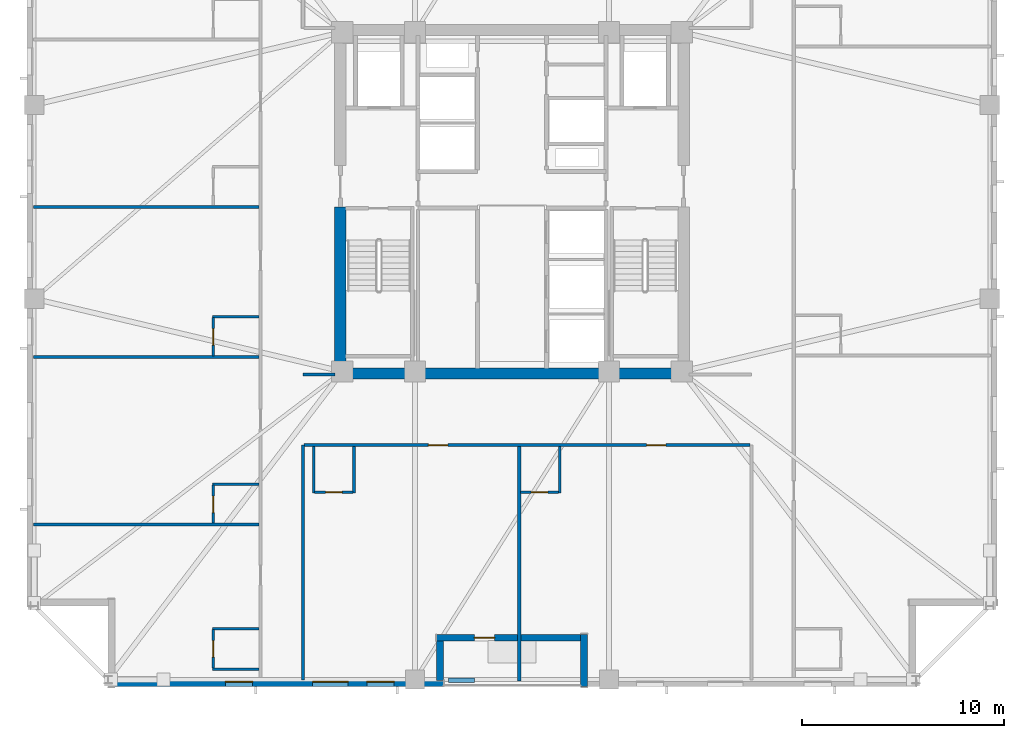
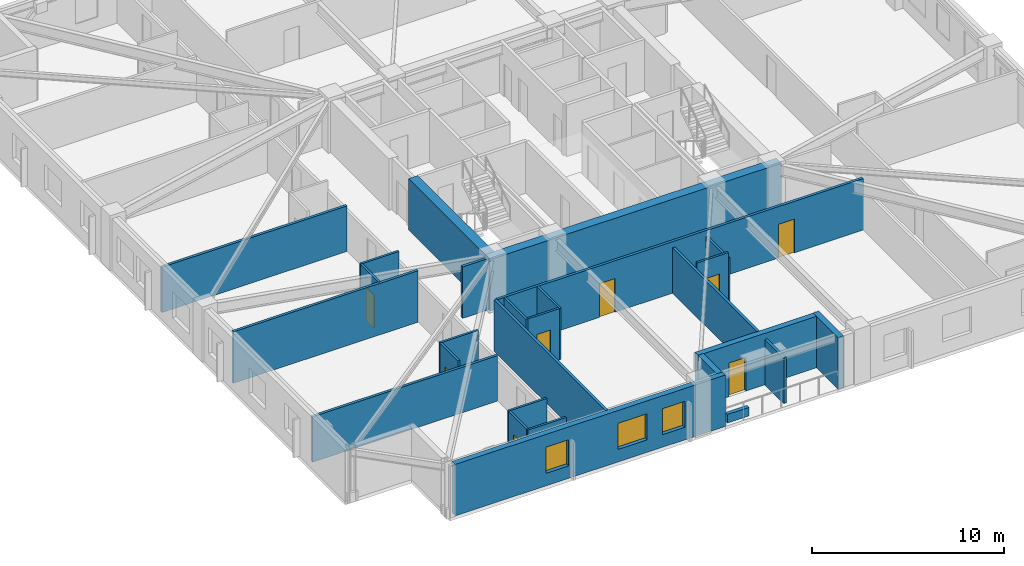
# One storey, part 2 of 11: 26 walls, 8 doors, 3 windows, 11 openings.
"""IFC4 building model written with IfcOpenShell, lengths in metres."""

from ifc_helpers import new_model, si_unit, direction, frame, frame_2d, origin, place, context, subcontext, project, spatial, rectangle, extrude, material, layer, layer_set, type_object, element, fill, save


model = new_model("IFC4")

# Units and contexts
model_context = context("Model", 3, precision=1e-05, world=origin(), true_north=direction((0.0, 1.0)))
body_context = subcontext(model_context, "Body", "Model", "MODEL_VIEW")
ifc_project = project(units=[si_unit("LENGTHUNIT", "METRE"), si_unit("AREAUNIT", "SQUARE_METRE"), si_unit("VOLUMEUNIT", "CUBIC_METRE"), si_unit("PLANEANGLEUNIT", "RADIAN"), si_unit("MASSUNIT", "GRAM", prefix="KILO")], contexts=[model_context])

# Site, building, storey
site_placement = place(None, origin())
site = spatial("IfcSite", under=ifc_project, at=site_placement, CompositionType="ELEMENT")
building_placement = place(site_placement, origin())
building = spatial("IfcBuilding", under=site, at=building_placement, Name="Cairnveth Concourse Tower", CompositionType="ELEMENT")
storey_placement = place(building_placement, frame((0.0, 0.0, 155.0)))
storey = spatial("IfcBuildingStorey", under=building, at=storey_placement, Name="L42", CompositionType="ELEMENT", Elevation=155.0)

# Walls
ifc_material_1 = material(Name="Gypsum Plasterboard Partition", Category="gypsum")
ifc_layer_1 = layer(ifc_material_1, 0.159912109375)
ifc_layer_set_1 = layer_set([ifc_layer_1], Name="Gypsum Plasterboard Partition")
wall_type_1 = type_object("IfcWallType", Name="ACOUSTIC PARTY WALL 180", PredefinedType="PARTITIONING", material=ifc_layer_set_1)
wall_1_placement = place(storey_placement, frame((41.64990234375, 15.324951171875, 0.0), z_axis=(0.0, 0.0, 1.0), x_axis=(0.0, 1.0, 0.0)))
element("IfcWall", 1, at=wall_1_placement, inside=storey, type_object=wall_type_1, Name="Interior Wall IW-L42-037", PredefinedType="PARTITIONING", context=body_context, shape_type="SweptSolid", body=[
    extrude(rectangle(XDim=11.635009765625, YDim=0.159912109375, at=frame_2d((5.8173828125, 0.0))), origin(), (0.0, 0.0, 1.0), 3.280029296875),
])
wall_2_placement = place(storey_placement, frame((41.64990234375, 30.449951171875, 0.0), z_axis=(0.0, 0.0, 1.0), x_axis=(1.0, 0.0, 0.0)))
element("IfcWall", 2, at=wall_2_placement, inside=storey, type_object=wall_type_1, Name="Interior Wall IW-L42-039", PredefinedType="PARTITIONING", context=body_context, shape_type="SweptSolid", body=[
    extrude(rectangle(XDim=1.585205078125, YDim=0.159912109375, at=frame_2d((0.79248046875, 0.0))), origin(), (0.0, 0.0, 1.0), 3.280029296875),
])

# Wall, openings, doors
wall_3_placement = place(storey_placement, frame((41.715087890625, 26.9599609375, 0.0), z_axis=(0.0, 0.0, 1.0), x_axis=(1.0, 0.0, 0.0)))
wall_3 = element("IfcWall", 3, at=wall_3_placement, inside=storey, type_object=wall_type_1, Name="Interior Wall IW-L42-046", PredefinedType="PARTITIONING", context=body_context, shape_type="SweptSolid", body=[
    extrude(rectangle(XDim=22.06982421875, YDim=0.159912109375, at=frame_2d((11.034912109375, 0.0))), origin(), (0.0, 0.0, 1.0), 3.280029296875),
])
opening_1_placement = place(wall_3_placement, frame((6.14990234375, 0.0, 0.0)))
opening_1 = element("IfcOpeningElement", 4, at=opening_1_placement, cuts=wall_3, Name="Opening ID09", PredefinedType="OPENING", context=body_context, shape_type="SweptSolid", body=[
    extrude(rectangle(XDim=0.9599609375, YDim=2.14990234375, at=frame_2d((0.47998046875, 1.074951171875))), frame((0.0, 0.08984375, 0.0), z_axis=(0.0, -1.0, 0.0), x_axis=(1.0, 0.0, 0.0)), (0.0, 0.0, 1.0), 0.179931640625),
])
opening_2_placement = place(wall_3_placement, frame((16.945068359375, 0.0, 0.0)))
opening_2 = element("IfcOpeningElement", 5, at=opening_2_placement, cuts=wall_3, Name="Opening ID09", PredefinedType="OPENING", context=body_context, shape_type="SweptSolid", body=[
    extrude(rectangle(XDim=0.9599609375, YDim=2.14990234375, at=frame_2d((0.47998046875, 1.074951171875))), frame((0.0, 0.08984375, 0.0), z_axis=(0.0, -1.0, 0.0), x_axis=(1.0, 0.0, 0.0)), (0.0, 0.0, 1.0), 0.179931640625),
])
ifc_material_2 = material(Name="Solid Core Hardwood Timber Leaf", Category="wood")
door_type_1 = type_object("IfcDoorType", Name="HOTEL ENTRANCE DOOR 960X2150", OperationType="NOTDEFINED", PredefinedType="DOOR", material=ifc_material_2)
door_1_placement = place(opening_1_placement, origin())
door_1 = element("IfcDoor", 6, at=door_1_placement, inside=storey, type_object=door_type_1, Name="Hotel Room Door L42-S1", OperationType="SINGLE_SWING_LEFT", OverallHeight=2.14990234375, OverallWidth=0.9599609375, PredefinedType="DOOR", context=body_context, shape_type="SweptSolid", body=[
    extrude(rectangle(XDim=0.9599609375, YDim=2.14990234375, at=frame_2d((0.47998046875, 1.074951171875))), frame((0.0, 0.02490234375, 0.0), z_axis=(0.0, -1.0, 0.0), x_axis=(1.0, 0.0, 0.0)), (0.0, 0.0, 1.0), 0.050048828125),
])
fill(opening_1, door_1)
door_2_placement = place(opening_2_placement, origin())
door_2 = element("IfcDoor", 7, at=door_2_placement, inside=storey, type_object=door_type_1, Name="Hotel Room Door L42-S2", OperationType="SINGLE_SWING_LEFT", OverallHeight=2.14990234375, OverallWidth=0.9599609375, PredefinedType="DOOR", context=body_context, shape_type="SweptSolid", body=[
    extrude(rectangle(XDim=0.9599609375, YDim=2.14990234375, at=frame_2d((0.47998046875, 1.074951171875))), frame((0.0, 0.02490234375, 0.0), z_axis=(0.0, -1.0, 0.0), x_axis=(1.0, 0.0, 0.0)), (0.0, 0.0, 1.0), 0.050048828125),
])
fill(opening_2, door_2)

# Walls
wall_4_placement = place(storey_placement, frame((52.360107421875, 15.27001953125, 0.0), z_axis=(0.0, 0.0, 1.0), x_axis=(0.0, 1.0, 0.0)))
element("IfcWall", 8, at=wall_4_placement, inside=storey, type_object=wall_type_1, Name="Interior Wall IW-L42-052", PredefinedType="PARTITIONING", context=body_context, shape_type="SweptSolid", body=[
    extrude(rectangle(XDim=11.60986328125, YDim=0.159912109375, at=frame_2d((5.804931640625, 0.0))), origin(), (0.0, 0.0, 1.0), 2.89599609375),
])
wall_5_placement = place(storey_placement, frame((28.324951171875, 23.026611328125, 0.0), z_axis=(0.0, 0.0, 1.0), x_axis=(1.0, 0.0, 0.0)))
element("IfcWall", 9, at=wall_5_placement, inside=storey, type_object=wall_type_1, Name="Interior Wall IW-L42-058", PredefinedType="PARTITIONING", context=body_context, shape_type="SweptSolid", body=[
    extrude(rectangle(XDim=11.14501953125, YDim=0.159912109375, at=frame_2d((5.572509765625, 0.0))), origin(), (0.0, 0.0, 1.0), 2.89599609375),
])
wall_6_placement = place(storey_placement, frame((28.324951171875, 31.3154296875, 0.0), z_axis=(0.0, 0.0, 1.0), x_axis=(1.0, 0.0, 0.0)))
element("IfcWall", 10, at=wall_6_placement, inside=storey, type_object=wall_type_1, Name="Interior Wall IW-L42-061", PredefinedType="PARTITIONING", context=body_context, shape_type="SweptSolid", body=[
    extrude(rectangle(XDim=11.14501953125, YDim=0.159912109375, at=frame_2d((5.572509765625, 0.0))), origin(), (0.0, 0.0, 1.0), 3.280029296875),
])
wall_7_placement = place(storey_placement, frame((28.324951171875, 38.74658203125, 0.0), z_axis=(0.0, 0.0, 1.0), x_axis=(1.0, 0.0, 0.0)))
element("IfcWall", 11, at=wall_7_placement, inside=storey, type_object=wall_type_1, Name="Interior Wall IW-L42-064", PredefinedType="PARTITIONING", context=body_context, shape_type="SweptSolid", body=[
    extrude(rectangle(XDim=11.14501953125, YDim=0.159912109375, at=frame_2d((5.572509765625, 0.0))), origin(), (0.0, 0.0, 1.0), 2.89599609375),
])
ifc_material_3 = material(Name="Concrete N80 (80 MPa)", Category="concrete")
ifc_layer_2 = layer(ifc_material_3, 0.550048828125)
ifc_layer_set_2 = layer_set([ifc_layer_2], Name="Concrete N80 (80 MPa)")
wall_type_2 = type_object("IfcWallType", Name="CORE SHEAR WALL 550", PredefinedType="SHEAR", material=ifc_layer_set_2)
wall_8_placement = place(storey_placement, frame((43.22509765625, 30.5, 0.0), z_axis=(0.0, 0.0, 1.0), x_axis=(1.0, 0.0, 0.0)))
element("IfcWall", 12, at=wall_8_placement, inside=storey, type_object=wall_type_2, Name="Core South Shear Wall L42", PredefinedType="SHEAR", context=body_context, shape_type="SweptSolid", body=[
    extrude(rectangle(XDim=17.5498046875, YDim=0.550048828125, at=frame_2d((8.77490234375, 0.0))), origin(), (0.0, 0.0, 1.0), 3.280029296875),
])
wall_9_placement = place(storey_placement, frame((43.5, 30.764892578125, 0.0), z_axis=(0.0, 0.0, 1.0), x_axis=(0.0, 1.0, 0.0)))
element("IfcWall", 13, at=wall_9_placement, inside=storey, type_object=wall_type_2, Name="Core West Shear Wall S L42", PredefinedType="SHEAR", context=body_context, shape_type="SweptSolid", body=[
    extrude(rectangle(XDim=7.985107421875, YDim=0.550048828125, at=frame_2d((3.99267578125, 0.0))), origin(), (0.0, 0.0, 1.0), 3.280029296875),
])
ifc_material_4 = material(Name="Dressed Melbourne Bluestone Cladding", Category="masonry")
ifc_layer_3 = layer(ifc_material_4, 0.219970703125)
ifc_layer_set_3 = layer_set([ifc_layer_3], Name="Dressed Melbourne Bluestone Cladding")
wall_type_3 = type_object("IfcWallType", Name="TERRACE PLANTER CURB WALL 220", PredefinedType="PARAPET", material=ifc_layer_set_3)
wall_10_placement = place(storey_placement, frame((48.85009765625, 15.320068359375, 0.0), z_axis=(0.0, 0.0, 1.0), x_axis=(1.0, 0.0, 0.0)))
element("IfcWall", 14, at=wall_10_placement, inside=storey, type_object=wall_type_3, Name="Exterior Wall PLNT-L42-TERR", PredefinedType="PARAPET", context=body_context, shape_type="SweptSolid", body=[
    extrude(rectangle(XDim=1.2998046875, YDim=0.219970703125, at=frame_2d((0.64990234375, 0.0))), origin(), (0.0, 0.0, 1.0), 0.550048828125),
])
ifc_layer_4 = layer(ifc_material_1, 0.1298828125)
ifc_layer_set_4 = layer_set([ifc_layer_4], Name="Gypsum Plasterboard Partition")
wall_type_4 = type_object("IfcWallType", Name="WET AREA PARTITION 140", PredefinedType="PLUMBINGWALL", material=ifc_layer_set_4)
for number, where, z_axis, x_axis, name in (
    (15, (42.179931640625, 24.580078125, 0.0), (0.0, 0.0, 1.0), (0.0, 1.0, 0.0), "Interior Wall IW-L42-049"),
    (16, (44.179931640625, 24.580078125, 0.0), (0.0, 0.0, 1.0), (0.0, 1.0, 0.0), "Interior Wall IW-L42-050"),
):
    element("IfcWall", number, at=place(storey_placement, frame(where, z_axis=z_axis, x_axis=x_axis)), inside=storey, type_object=wall_type_4, Name=name, PredefinedType="PLUMBINGWALL", context=body_context, shape_type="SweptSolid", body=[
        extrude(rectangle(XDim=2.31494140625, YDim=0.1298828125, at=frame_2d((1.157470703125, 0.0))), origin(), (0.0, 0.0, 1.0), 3.280029296875),
    ])

# Wall, opening, door
wall_11_placement = place(storey_placement, frame((42.22998046875, 24.6298828125, 0.0), z_axis=(0.0, 0.0, 1.0), x_axis=(1.0, 0.0, 0.0)))
wall_11 = element("IfcWall", 17, at=wall_11_placement, inside=storey, type_object=wall_type_4, Name="Interior Wall IW-L42-051", PredefinedType="PLUMBINGWALL", context=body_context, shape_type="SweptSolid", body=[
    extrude(rectangle(XDim=1.89990234375, YDim=0.1298828125, at=frame_2d((0.949951171875, 0.0))), origin(), (0.0, 0.0, 1.0), 3.280029296875),
])
opening_3_placement = place(wall_11_placement, frame((0.5400390625, 0.0, 0.0)))
opening_3 = element("IfcOpeningElement", 18, at=opening_3_placement, cuts=wall_11, Name="Opening ID22", PredefinedType="OPENING", context=body_context, shape_type="SweptSolid", body=[
    extrude(rectangle(XDim=0.820068359375, YDim=2.10009765625, at=frame_2d((0.41015625, 1.050048828125))), frame((0.0, 0.074951171875, 0.0), z_axis=(0.0, -1.0, 0.0), x_axis=(1.0, 0.0, 0.0)), (0.0, 0.0, 1.0), 0.14990234375),
])
door_type_2 = type_object("IfcDoorType", Name="INTERIOR WC DOOR 820X2100", OperationType="NOTDEFINED", PredefinedType="DOOR", material=ifc_material_2)
door_3_placement = place(opening_3_placement, origin())
door_3 = element("IfcDoor", 19, at=door_3_placement, inside=storey, type_object=door_type_2, Name="En-Suite Door L42-S1", OperationType="SINGLE_SWING_RIGHT", OverallHeight=2.10009765625, OverallWidth=0.820068359375, PredefinedType="DOOR", context=body_context, shape_type="SweptSolid", body=[
    extrude(rectangle(XDim=0.820068359375, YDim=2.10009765625, at=frame_2d((0.41015625, 1.050048828125))), frame((0.0, 0.02490234375, 0.0), z_axis=(0.0, -1.0, 0.0), x_axis=(1.0, 0.0, 0.0)), (0.0, 0.0, 1.0), 0.050048828125),
])
fill(opening_3, door_3)

# Wall
wall_12_placement = place(storey_placement, frame((54.360107421875, 24.580078125, 0.0), z_axis=(0.0, 0.0, 1.0), x_axis=(0.0, 1.0, 0.0)))
element("IfcWall", 20, at=wall_12_placement, inside=storey, type_object=wall_type_4, Name="Interior Wall IW-L42-053", PredefinedType="PLUMBINGWALL", context=body_context, shape_type="SweptSolid", body=[
    extrude(rectangle(XDim=2.31494140625, YDim=0.1298828125, at=frame_2d((1.157470703125, 0.0))), origin(), (0.0, 0.0, 1.0), 2.89599609375),
])

# Wall, opening, door
wall_13_placement = place(storey_placement, frame((52.425048828125, 24.6298828125, 0.0), z_axis=(0.0, 0.0, 1.0), x_axis=(1.0, 0.0, 0.0)))
wall_13 = element("IfcWall", 21, at=wall_13_placement, inside=storey, type_object=wall_type_4, Name="Interior Wall IW-L42-054", PredefinedType="PLUMBINGWALL", context=body_context, shape_type="SweptSolid", body=[
    extrude(rectangle(XDim=1.885009765625, YDim=0.1298828125, at=frame_2d((0.9423828125, 0.0))), origin(), (0.0, 0.0, 1.0), 3.280029296875),
])
opening_4_placement = place(wall_13_placement, frame((0.52490234375, 0.0, 0.0)))
opening_4 = element("IfcOpeningElement", 22, at=opening_4_placement, cuts=wall_13, Name="Opening ID22", PredefinedType="OPENING", context=body_context, shape_type="SweptSolid", body=[
    extrude(rectangle(XDim=0.820068359375, YDim=2.10009765625, at=frame_2d((0.41015625, 1.050048828125))), frame((0.0, 0.074951171875, 0.0), z_axis=(0.0, -1.0, 0.0), x_axis=(1.0, 0.0, 0.0)), (0.0, 0.0, 1.0), 0.14990234375),
])
door_4_placement = place(opening_4_placement, origin())
door_4 = element("IfcDoor", 23, at=door_4_placement, inside=storey, type_object=door_type_2, Name="En-Suite Door L42-S2", OperationType="SINGLE_SWING_RIGHT", OverallHeight=2.10009765625, OverallWidth=0.820068359375, PredefinedType="DOOR", context=body_context, shape_type="SweptSolid", body=[
    extrude(rectangle(XDim=0.820068359375, YDim=2.10009765625, at=frame_2d((0.41015625, 1.050048828125))), frame((0.0, 0.02490234375, 0.0), z_axis=(0.0, -1.0, 0.0), x_axis=(1.0, 0.0, 0.0)), (0.0, 0.0, 1.0), 0.050048828125),
])
fill(opening_4, door_4)

# Walls
for number, where, z_axis, x_axis, name in (
    (24, (37.169921875, 15.8701171875, 0.0), (0.0, 0.0, 1.0), (1.0, 0.0, 0.0), "Interior Wall IW-L42-055"),
    (25, (37.169921875, 17.8701171875, 0.0), (0.0, 0.0, 1.0), (1.0, 0.0, 0.0), "Interior Wall IW-L42-056"),
):
    element("IfcWall", number, at=place(storey_placement, frame(where, z_axis=z_axis, x_axis=x_axis)), inside=storey, type_object=wall_type_4, Name=name, PredefinedType="PLUMBINGWALL", context=body_context, shape_type="SweptSolid", body=[
        extrude(rectangle(XDim=2.315185546875, YDim=0.1298828125, at=frame_2d((1.15771484375, 0.0))), origin(), (0.0, 0.0, 1.0), 3.280029296875),
    ])

# Wall, opening, door
wall_14_placement = place(storey_placement, frame((37.219970703125, 15.919921875, 0.0), z_axis=(0.0, 0.0, 1.0), x_axis=(0.0, 1.0, 0.0)))
wall_14 = element("IfcWall", 26, at=wall_14_placement, inside=storey, type_object=wall_type_4, Name="Interior Wall IW-L42-057", PredefinedType="PLUMBINGWALL", context=body_context, shape_type="SweptSolid", body=[
    extrude(rectangle(XDim=1.900146484375, YDim=0.1298828125, at=frame_2d((0.9501953125, 0.0))), origin(), (0.0, 0.0, 1.0), 3.280029296875),
])
opening_5_placement = place(wall_14_placement, frame((0.5400390625, 0.0, 0.0)))
opening_5 = element("IfcOpeningElement", 27, at=opening_5_placement, cuts=wall_14, Name="Opening ID22", PredefinedType="OPENING", context=body_context, shape_type="SweptSolid", body=[
    extrude(rectangle(XDim=0.820068359375, YDim=2.10009765625, at=frame_2d((0.41015625, 1.050048828125))), frame((0.0, 0.074951171875, 0.0), z_axis=(0.0, -1.0, 0.0), x_axis=(1.0, 0.0, 0.0)), (0.0, 0.0, 1.0), 0.14990234375),
])
door_5_placement = place(opening_5_placement, origin())
door_5 = element("IfcDoor", 28, at=door_5_placement, inside=storey, type_object=door_type_2, Name="En-Suite Door L42-W1", OperationType="SINGLE_SWING_RIGHT", OverallHeight=2.10009765625, OverallWidth=0.820068359375, PredefinedType="DOOR", context=body_context, shape_type="SweptSolid", body=[
    extrude(rectangle(XDim=0.820068359375, YDim=2.10009765625, at=frame_2d((0.41015625, 1.050048828125))), frame((0.0, 0.02490234375, 0.0), z_axis=(0.0, -1.0, 0.0), x_axis=(1.0, 0.0, 0.0)), (0.0, 0.0, 1.0), 0.050048828125),
])
fill(opening_5, door_5)

# Wall
wall_15_placement = place(storey_placement, frame((37.169921875, 25.026611328125, 0.0), z_axis=(0.0, 0.0, 1.0), x_axis=(1.0, 0.0, 0.0)))
element("IfcWall", 29, at=wall_15_placement, inside=storey, type_object=wall_type_4, Name="Interior Wall IW-L42-059", PredefinedType="PLUMBINGWALL", context=body_context, shape_type="SweptSolid", body=[
    extrude(rectangle(XDim=2.315185546875, YDim=0.1298828125, at=frame_2d((1.15771484375, 0.0))), origin(), (0.0, 0.0, 1.0), 3.280029296875),
])

# Wall, opening, door
wall_16_placement = place(storey_placement, frame((37.219970703125, 23.091552734375, 0.0), z_axis=(0.0, 0.0, 1.0), x_axis=(0.0, 1.0, 0.0)))
wall_16 = element("IfcWall", 30, at=wall_16_placement, inside=storey, type_object=wall_type_4, Name="Interior Wall IW-L42-060", PredefinedType="PLUMBINGWALL", context=body_context, shape_type="SweptSolid", body=[
    extrude(rectangle(XDim=1.885009765625, YDim=0.1298828125, at=frame_2d((0.9423828125, 0.0))), origin(), (0.0, 0.0, 1.0), 3.280029296875),
])
opening_6_placement = place(wall_16_placement, frame((0.52490234375, 0.0, 0.0)))
opening_6 = element("IfcOpeningElement", 31, at=opening_6_placement, cuts=wall_16, Name="Opening ID22", PredefinedType="OPENING", context=body_context, shape_type="SweptSolid", body=[
    extrude(rectangle(XDim=0.820068359375, YDim=2.10009765625, at=frame_2d((0.41015625, 1.050048828125))), frame((0.0, 0.074951171875, 0.0), z_axis=(0.0, -1.0, 0.0), x_axis=(1.0, 0.0, 0.0)), (0.0, 0.0, 1.0), 0.14990234375),
])
door_6_placement = place(opening_6_placement, origin())
door_6 = element("IfcDoor", 32, at=door_6_placement, inside=storey, type_object=door_type_2, Name="En-Suite Door L42-W2", OperationType="SINGLE_SWING_RIGHT", OverallHeight=2.10009765625, OverallWidth=0.820068359375, PredefinedType="DOOR", context=body_context, shape_type="SweptSolid", body=[
    extrude(rectangle(XDim=0.820068359375, YDim=2.10009765625, at=frame_2d((0.41015625, 1.050048828125))), frame((0.0, 0.02490234375, 0.0), z_axis=(0.0, -1.0, 0.0), x_axis=(1.0, 0.0, 0.0)), (0.0, 0.0, 1.0), 0.050048828125),
])
fill(opening_6, door_6)

# Wall
wall_17_placement = place(storey_placement, frame((37.169921875, 33.3154296875, 0.0), z_axis=(0.0, 0.0, 1.0), x_axis=(1.0, 0.0, 0.0)))
element("IfcWall", 33, at=wall_17_placement, inside=storey, type_object=wall_type_4, Name="Interior Wall IW-L42-062", PredefinedType="PLUMBINGWALL", context=body_context, shape_type="SweptSolid", body=[
    extrude(rectangle(XDim=2.315185546875, YDim=0.1298828125, at=frame_2d((1.15771484375, 0.0))), origin(), (0.0, 0.0, 1.0), 3.280029296875),
])

# Wall, opening, door
wall_18_placement = place(storey_placement, frame((37.219970703125, 31.380615234375, 0.0), z_axis=(0.0, 0.0, 1.0), x_axis=(0.0, 1.0, 0.0)))
wall_18 = element("IfcWall", 34, at=wall_18_placement, inside=storey, type_object=wall_type_4, Name="Interior Wall IW-L42-063", PredefinedType="PLUMBINGWALL", context=body_context, shape_type="SweptSolid", body=[
    extrude(rectangle(XDim=1.884765625, YDim=0.1298828125, at=frame_2d((0.9423828125, 0.0))), origin(), (0.0, 0.0, 1.0), 3.280029296875),
])
opening_7_placement = place(wall_18_placement, frame((0.52490234375, 0.0, 0.0)))
opening_7 = element("IfcOpeningElement", 35, at=opening_7_placement, cuts=wall_18, Name="Opening ID22", PredefinedType="OPENING", context=body_context, shape_type="SweptSolid", body=[
    extrude(rectangle(XDim=0.820068359375, YDim=2.10009765625, at=frame_2d((0.41015625, 1.050048828125))), frame((0.0, 0.074951171875, 0.0), z_axis=(0.0, -1.0, 0.0), x_axis=(1.0, 0.0, 0.0)), (0.0, 0.0, 1.0), 0.14990234375),
])
door_7_placement = place(opening_7_placement, origin())
door_7 = element("IfcDoor", 36, at=door_7_placement, inside=storey, type_object=door_type_2, Name="En-Suite Door L42-W3", OperationType="SINGLE_SWING_RIGHT", OverallHeight=2.10009765625, OverallWidth=0.820068359375, PredefinedType="DOOR", context=body_context, shape_type="SweptSolid", body=[
    extrude(rectangle(XDim=0.820068359375, YDim=2.10009765625, at=frame_2d((0.41015625, 1.050048828125))), frame((0.0, 0.02490234375, 0.0), z_axis=(0.0, -1.0, 0.0), x_axis=(1.0, 0.0, 0.0)), (0.0, 0.0, 1.0), 0.050048828125),
])
fill(opening_7, door_7)

# Wall, openings, windows
ifc_material_5 = material(Name="Hawthorn Red-Ochre Fired Clay Brick Masonry", Category="masonry")
ifc_layer_5 = layer(ifc_material_5, 0.340087890625)
ifc_layer_set_5 = layer_set([ifc_layer_5], Name="Hawthorn Red-Ochre Fired Clay Brick Masonry")
wall_type_5 = type_object("IfcWallType", Name="ZONE 2 BRICK PIER SPANDREL WALL 340", PredefinedType="SOLIDWALL", material=ifc_layer_set_5)
wall_19_placement = place(storey_placement, frame((48.60009765625, 15.169921875, 0.0), z_axis=(0.0, 0.0, 1.0), x_axis=(-1.0, 0.0, 0.0)))
wall_19 = element("IfcWall", 37, at=wall_19_placement, inside=storey, type_object=wall_type_5, Name="Exterior Wall EW-L42-S00", PredefinedType="SOLIDWALL", context=body_context, shape_type="SweptSolid", body=[
    extrude(rectangle(XDim=16.281982421875, YDim=0.340087890625, at=frame_2d((8.14111328125, 0.0))), origin(), (0.0, 0.0, 1.0), 3.280029296875),
])
opening_8_placement = place(wall_19_placement, frame((2.438720703125, 0.0, 0.800048828125)))
opening_8 = element("IfcOpeningElement", 38, at=opening_8_placement, cuts=wall_19, Name="Opening W02", PredefinedType="OPENING", context=body_context, shape_type="SweptSolid", body=[
    extrude(rectangle(XDim=1.35009765625, YDim=1.659912109375, at=frame_2d((0.675048828125, 0.830078125))), frame((0.0, 0.179931640625, 0.0), z_axis=(0.0, -1.0, 0.0), x_axis=(1.0, 0.0, 0.0)), (0.0, 0.0, 1.0), 0.360107421875),
])
opening_9_placement = place(wall_19_placement, frame((4.716064453125, 0.0, 0.800048828125)))
opening_9 = element("IfcOpeningElement", 39, at=opening_9_placement, cuts=wall_19, Name="Opening W06", PredefinedType="OPENING", context=body_context, shape_type="SweptSolid", body=[
    extrude(rectangle(XDim=1.75, YDim=1.659912109375, at=frame_2d((0.875, 0.830078125))), frame((0.0, 0.179931640625, 0.0), z_axis=(0.0, -1.0, 0.0), x_axis=(1.0, 0.0, 0.0)), (0.0, 0.0, 1.0), 0.360107421875),
])
opening_10_placement = place(wall_19_placement, frame((9.443359375, 0.0, 0.800048828125)))
opening_10 = element("IfcOpeningElement", 40, at=opening_10_placement, cuts=wall_19, Name="Opening W02", PredefinedType="OPENING", context=body_context, shape_type="SweptSolid", body=[
    extrude(rectangle(XDim=1.35009765625, YDim=1.659912109375, at=frame_2d((0.675048828125, 0.830078125))), frame((0.0, 0.179931640625, 0.0), z_axis=(0.0, -1.0, 0.0), x_axis=(1.0, 0.0, 0.0)), (0.0, 0.0, 1.0), 0.360107421875),
])
ifc_material_6 = material(Name="Double Glazed Low-E Clear Glass", Category="glass")
window_type_1 = type_object("IfcWindowType", Name="DEEP-SET GOTHIC LANCET WINDOW 1350X1800", PartitioningType="DOUBLE_PANEL_VERTICAL", PredefinedType="WINDOW", material=ifc_material_6)
window_1_placement = place(opening_8_placement, origin())
window_1 = element("IfcWindow", 41, at=window_1_placement, inside=storey, type_object=window_type_1, Name="Gothic Lancet Window L42-0-1", OverallHeight=1.659912109375, OverallWidth=1.35009765625, PartitioningType="SINGLE_PANEL", PredefinedType="WINDOW", context=body_context, shape_type="SweptSolid", body=[
    extrude(rectangle(XDim=1.35009765625, YDim=1.659912109375, at=frame_2d((0.675048828125, 0.830078125))), frame((0.0, -0.050048828125, 0.0), z_axis=(0.0, -1.0, 0.0), x_axis=(1.0, 0.0, 0.0)), (0.0, 0.0, 1.0), 0.06005859375),
])
fill(opening_8, window_1)
window_2_placement = place(opening_10_placement, origin())
window_2 = element("IfcWindow", 42, at=window_2_placement, inside=storey, type_object=window_type_1, Name="Gothic Lancet Window L42-0-3", OverallHeight=1.659912109375, OverallWidth=1.35009765625, PartitioningType="SINGLE_PANEL", PredefinedType="WINDOW", context=body_context, shape_type="SweptSolid", body=[
    extrude(rectangle(XDim=1.35009765625, YDim=1.659912109375, at=frame_2d((0.675048828125, 0.830078125))), frame((0.0, -0.050048828125, 0.0), z_axis=(0.0, -1.0, 0.0), x_axis=(1.0, 0.0, 0.0)), (0.0, 0.0, 1.0), 0.06005859375),
])
fill(opening_10, window_2)
window_type_2 = type_object("IfcWindowType", Name="DEEP-SET HOTEL SUITE WINDOW 1750X1800", PartitioningType="DOUBLE_PANEL_VERTICAL", PredefinedType="WINDOW", material=ifc_material_6)
window_3_placement = place(opening_9_placement, origin())
window_3 = element("IfcWindow", 43, at=window_3_placement, inside=storey, type_object=window_type_2, Name="Gothic Lancet Window L42-0-2", OverallHeight=1.659912109375, OverallWidth=1.75, PartitioningType="SINGLE_PANEL", PredefinedType="WINDOW", context=body_context, shape_type="SweptSolid", body=[
    extrude(rectangle(XDim=1.75, YDim=1.659912109375, at=frame_2d((0.875, 0.830078125))), frame((0.0, -0.050048828125, 0.0), z_axis=(0.0, -1.0, 0.0), x_axis=(1.0, 0.0, 0.0)), (0.0, 0.0, 1.0), 0.06005859375),
])
fill(opening_9, window_3)

# Wall
wall_20_placement = place(storey_placement, frame((55.570068359375, 15.0, 0.0), z_axis=(0.0, 0.0, 1.0), x_axis=(0.0, 1.0, 0.0)))
element("IfcWall", 44, at=wall_20_placement, inside=storey, type_object=wall_type_5, Name="Exterior Wall EW-L42-S13", PredefinedType="SOLIDWALL", context=body_context, shape_type="SweptSolid", body=[
    extrude(rectangle(XDim=2.590087890625, YDim=0.340087890625, at=frame_2d((1.294921875, 0.0))), origin(), (0.0, 0.0, 1.0), 3.280029296875),
])

# Wall, opening, door
wall_21_placement = place(storey_placement, frame((55.422119140625, 17.419921875, 0.0), z_axis=(0.0, 0.0, 1.0), x_axis=(-1.0, 0.0, 0.0)))
wall_21 = element("IfcWall", 45, at=wall_21_placement, inside=storey, type_object=wall_type_5, Name="Exterior Wall EW-L42-S14", PredefinedType="SOLIDWALL", context=body_context, shape_type="SweptSolid", body=[
    extrude(rectangle(XDim=7.162109375, YDim=0.340087890625, at=frame_2d((3.5810546875, 0.0))), origin(), (0.0, 0.0, 1.0), 3.280029296875),
])
opening_11_placement = place(wall_21_placement, frame((4.287109375, 0.0, 0.0)))
opening_11 = element("IfcOpeningElement", 46, at=opening_11_placement, cuts=wall_21, Name="Opening ED4", PredefinedType="OPENING", context=body_context, shape_type="SweptSolid", body=[
    extrude(rectangle(XDim=1.0, YDim=2.14990234375, at=frame_2d((0.5, 1.074951171875))), frame((0.0, 0.179931640625, 0.0), z_axis=(0.0, -1.0, 0.0), x_axis=(1.0, 0.0, 0.0)), (0.0, 0.0, 1.0), 0.360107421875),
])
ifc_material_7 = material(Name="Architectural Bronze Anodised Aluminium 6063-T6", Category="aluminium")
door_type_3 = type_object("IfcDoorType", Name="TERRACE GLAZED DOOR 1000X2150", OperationType="NOTDEFINED", PredefinedType="DOOR", material=ifc_material_7)
door_8_placement = place(opening_11_placement, origin())
door_8 = element("IfcDoor", 47, at=door_8_placement, inside=storey, type_object=door_type_3, Name="Spiral Terrace Door L42", OperationType="SINGLE_SWING_LEFT", OverallHeight=2.14990234375, OverallWidth=1.0, PredefinedType="DOOR", context=body_context, shape_type="SweptSolid", body=[
    extrude(rectangle(XDim=1.0, YDim=2.14990234375, at=frame_2d((0.5, 1.074951171875))), frame((0.0, 0.02490234375, 0.0), z_axis=(0.0, -1.0, 0.0), x_axis=(1.0, 0.0, 0.0)), (0.0, 0.0, 1.0), 0.050048828125),
])
fill(opening_11, door_8)

# Wall
wall_22_placement = place(storey_placement, frame((48.429931640625, 17.27197265625, 0.0), z_axis=(0.0, 0.0, 1.0), x_axis=(0.0, -1.0, 0.0)))
element("IfcWall", 48, at=wall_22_placement, inside=storey, type_object=wall_type_5, Name="Exterior Wall EW-L42-S15", PredefinedType="SOLIDWALL", context=body_context, shape_type="SweptSolid", body=[
    extrude(rectangle(XDim=1.953857421875, YDim=0.340087890625, at=frame_2d((0.97705078125, 0.0))), origin(), (0.0, 0.0, 1.0), 3.280029296875),
])

save(model, "model.ifc")
